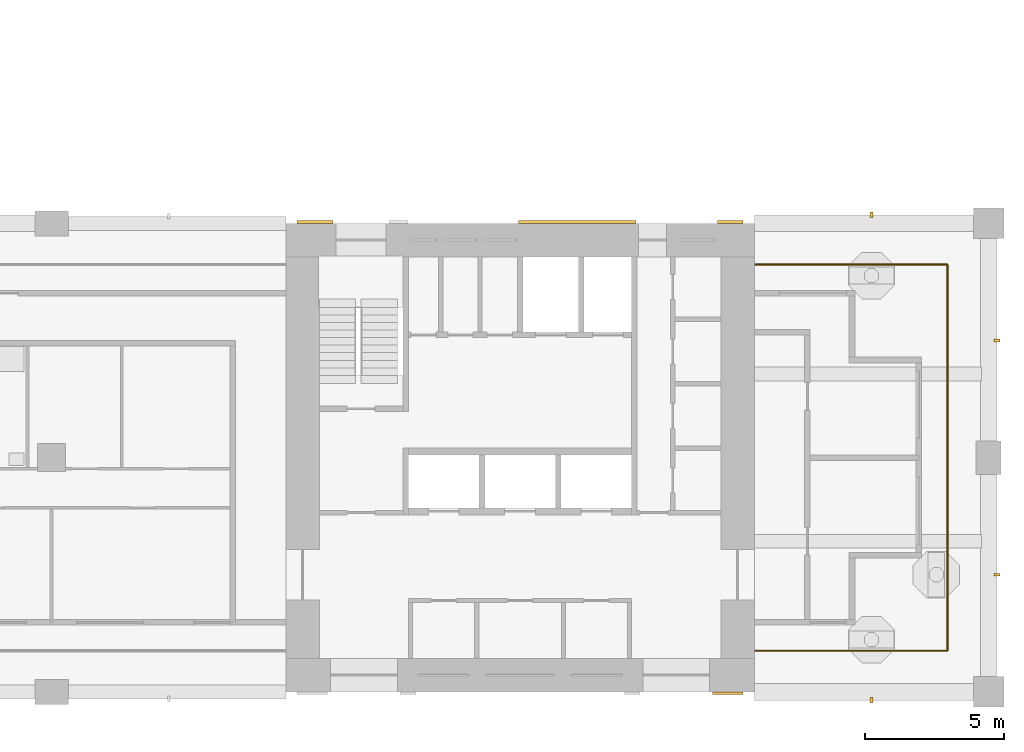
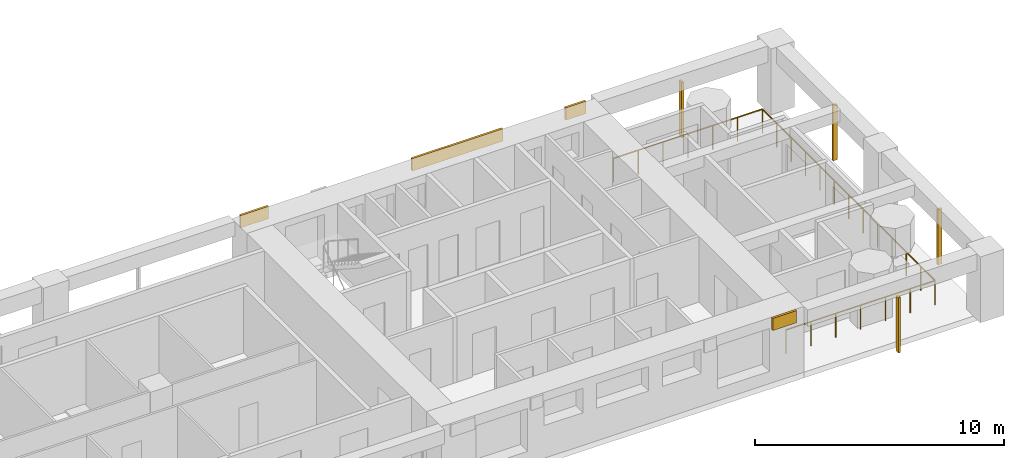
# One storey, part 9 of 13: 8 shading devices, 1 railing.
"""IFC4 building model written with IfcOpenShell, lengths in metres."""

from ifc_helpers import new_model, si_unit, direction, frame, origin, origin_2d, place, context, subcontext, project, spatial, rectangle, circle, extrude, material, layer, layer_set, material_profile, profile_set, type_object, element, save


model = new_model("IFC4")

# Units and contexts
model_context = context("Model", 3, precision=1e-05, world=origin(), true_north=direction((0.0, 1.0)))
body_context = subcontext(model_context, "Body", "Model", "MODEL_VIEW")
ifc_project = project(units=[si_unit("LENGTHUNIT", "METRE"), si_unit("AREAUNIT", "SQUARE_METRE"), si_unit("VOLUMEUNIT", "CUBIC_METRE"), si_unit("PLANEANGLEUNIT", "RADIAN"), si_unit("MASSUNIT", "GRAM", prefix="KILO")], contexts=[model_context])

# Site, building, storey
site_placement = place(None, origin())
site = spatial("IfcSite", under=ifc_project, at=site_placement, CompositionType="ELEMENT")
building_placement = place(site_placement, origin())
building = spatial("IfcBuilding", under=site, at=building_placement, Name="Vermilion Gate Residences", CompositionType="ELEMENT")
storey_placement = place(building_placement, frame((0.0, 0.0, 161.699951171875)))
storey = spatial("IfcBuildingStorey", under=building, at=storey_placement, Name="L41", CompositionType="ELEMENT", Elevation=161.699951171875)

# Railing
ifc_material_1 = material(Name="Stainless steel and toughened glass", Category="steel")
railing_type = type_object("IfcRailingType", Name="LOGGIA GUARD STEEL AND GLASS 1200", PredefinedType="GUARDRAIL", material=ifc_material_1)
railing_placement = place(storey_placement, frame((58.822021484375, 9.875, 0.0)))
element("IfcRailing", 1, at=railing_placement, inside=storey, type_object=railing_type, Name="Loggia guard", PredefinedType="GUARDRAIL", context=body_context, shape_type="SweptSolid", body=[
    extrude(circle(Radius=0.030029296875, at=origin_2d()), frame((0.0, 0.0, 1.169921875), z_axis=(1.0, 0.0, 0.0), x_axis=(0.0, 1.0, 0.0)), (0.0, 0.0, 1.0), 6.903076171875),
    extrude(circle(Radius=0.030029296875, at=origin_2d()), frame((6.903076171875, 0.0, 1.169921875), z_axis=(0.0, 1.0, 0.0), x_axis=(-1.0, 0.0, 0.0)), (0.0, 0.0, 1.0), 13.85009765625),
    extrude(circle(Radius=0.030029296875, at=origin_2d()), frame((6.903076171875, 13.85009765625, 1.169921875), z_axis=(-1.0, 0.0, 0.0), x_axis=(0.0, -1.0, 0.0)), (0.0, 0.0, 1.0), 6.903076171875),
    extrude(circle(Radius=0.02490234375, at=origin_2d()), origin(), (0.0, 0.0, 1.0), 1.139892578125),
    extrude(circle(Radius=0.02490234375, at=origin_2d()), frame((1.150390625, 0.0, 0.0)), (0.0, 0.0, 1.0), 1.139892578125),
    extrude(circle(Radius=0.02490234375, at=origin_2d()), frame((2.301025390625, 0.0, 0.0)), (0.0, 0.0, 1.0), 1.139892578125),
    extrude(circle(Radius=0.02490234375, at=origin_2d()), frame((3.45166015625, 0.0, 0.0)), (0.0, 0.0, 1.0), 1.139892578125),
    extrude(circle(Radius=0.02490234375, at=origin_2d()), frame((4.60205078125, 0.0, 0.0)), (0.0, 0.0, 1.0), 1.139892578125),
    extrude(circle(Radius=0.02490234375, at=origin_2d()), frame((5.75244140625, 0.0, 0.0)), (0.0, 0.0, 1.0), 1.139892578125),
    extrude(circle(Radius=0.02490234375, at=origin_2d()), frame((6.903076171875, 0.0, 0.0)), (0.0, 0.0, 1.0), 1.139892578125),
    extrude(circle(Radius=0.02490234375, at=origin_2d()), frame((6.903076171875, 1.154296875, 0.0)), (0.0, 0.0, 1.0), 1.139892578125),
    extrude(circle(Radius=0.02490234375, at=origin_2d()), frame((6.903076171875, 2.308349609375, 0.0)), (0.0, 0.0, 1.0), 1.139892578125),
    extrude(circle(Radius=0.02490234375, at=origin_2d()), frame((6.903076171875, 3.46240234375, 0.0)), (0.0, 0.0, 1.0), 1.139892578125),
    extrude(circle(Radius=0.02490234375, at=origin_2d()), frame((6.903076171875, 4.61669921875, 0.0)), (0.0, 0.0, 1.0), 1.139892578125),
    extrude(circle(Radius=0.02490234375, at=origin_2d()), frame((6.903076171875, 5.77099609375, 0.0)), (0.0, 0.0, 1.0), 1.139892578125),
    extrude(circle(Radius=0.02490234375, at=origin_2d()), frame((6.903076171875, 6.925048828125, 0.0)), (0.0, 0.0, 1.0), 1.139892578125),
    extrude(circle(Radius=0.02490234375, at=origin_2d()), frame((6.903076171875, 8.0791015625, 0.0)), (0.0, 0.0, 1.0), 1.139892578125),
    extrude(circle(Radius=0.02490234375, at=origin_2d()), frame((6.903076171875, 9.2333984375, 0.0)), (0.0, 0.0, 1.0), 1.139892578125),
    extrude(circle(Radius=0.02490234375, at=origin_2d()), frame((6.903076171875, 10.3876953125, 0.0)), (0.0, 0.0, 1.0), 1.139892578125),
    extrude(circle(Radius=0.02490234375, at=origin_2d()), frame((6.903076171875, 11.541748046875, 0.0)), (0.0, 0.0, 1.0), 1.139892578125),
    extrude(circle(Radius=0.02490234375, at=origin_2d()), frame((6.903076171875, 12.69580078125, 0.0)), (0.0, 0.0, 1.0), 1.139892578125),
    extrude(circle(Radius=0.02490234375, at=origin_2d()), frame((6.903076171875, 13.85009765625, 0.0)), (0.0, 0.0, 1.0), 1.139892578125),
    extrude(circle(Radius=0.02490234375, at=origin_2d()), frame((5.75244140625, 13.85009765625, 0.0)), (0.0, 0.0, 1.0), 1.139892578125),
    extrude(circle(Radius=0.02490234375, at=origin_2d()), frame((4.60205078125, 13.85009765625, 0.0)), (0.0, 0.0, 1.0), 1.139892578125),
    extrude(circle(Radius=0.02490234375, at=origin_2d()), frame((3.45166015625, 13.85009765625, 0.0)), (0.0, 0.0, 1.0), 1.139892578125),
    extrude(circle(Radius=0.02490234375, at=origin_2d()), frame((2.301025390625, 13.85009765625, 0.0)), (0.0, 0.0, 1.0), 1.139892578125),
    extrude(circle(Radius=0.02490234375, at=origin_2d()), frame((1.150390625, 13.85009765625, 0.0)), (0.0, 0.0, 1.0), 1.139892578125),
    extrude(circle(Radius=0.02490234375, at=origin_2d()), frame((0.0, 13.85009765625, 0.0)), (0.0, 0.0, 1.0), 1.139892578125),
])

# Shading devices
ifc_material_2 = material(Name="Extruded terracotta", Category="masonry")
ifc_material_profile = material_profile(ifc_material_2, rectangle(XDim=0.199951171875, YDim=0.10009765625, at=origin_2d()), Name="BAGUETTE 100 X 200")
ifc_profile_set = profile_set([ifc_material_profile], Name="Extruded terracotta")
shading_device_type_1 = type_object("IfcShadingDeviceType", Name="TERRACOTTA BAGUETTE 100 X 200", PredefinedType="JALOUSIE", material=ifc_profile_set)
for number, where, z_axis, x_axis, name in (
    (2, (63.0, 8.10009765625, -0.280029296875), (0.0, 0.0, 1.0), (0.0, 1.0, 0.0), "BAGUETTE"),
    (3, (67.5, 12.60009765625, -0.280029296875), (0.0, 0.0, 1.0), (-1.0, 0.0, 0.0), "BAGUETTE"),
    (4, (67.5, 21.0, -0.280029296875), (0.0, 0.0, 1.0), (-1.0, 0.0, 0.0), "BAGUETTE"),
    (5, (63.0, 25.5, -0.280029296875), (0.0, 0.0, 1.0), (0.0, -1.0, 0.0), "BAGUETTE"),
):
    element("IfcShadingDevice", number, at=place(storey_placement, frame(where, z_axis=z_axis, x_axis=x_axis)), inside=storey, type_object=shading_device_type_1, Name=name, PredefinedType="JALOUSIE", context=body_context, shape_type="SweptSolid", body=[
        extrude(rectangle(XDim=0.199951171875, YDim=0.10009765625, at=origin_2d()), origin(), (0.0, 0.0, 1.0), 2.7001953125),
    ])
ifc_material_3 = material(Name="Extruded terracotta", Category="masonry")
ifc_layer = layer(ifc_material_3, 0.10009765625)
ifc_layer_set = layer_set([ifc_layer], Name="TERRACOTTA SPANDREL BAND 600 X 100")
shading_device_type_2 = type_object("IfcShadingDeviceType", Name="TERRACOTTA SPANDREL BAND 600 X 100", PredefinedType="USERDEFINED", material=ifc_layer_set)
shading_device_1_placement = place(storey_placement, frame((57.85009765625, 8.35009765625, 2.6201171875), z_axis=(0.0, 0.0, 1.0), x_axis=(1.0, 0.0, 0.0)))
element("IfcShadingDevice", 6, at=shading_device_1_placement, inside=storey, type_object=shading_device_type_2, Name="SPANDREL BAND", ObjectType="BAND", PredefinedType="USERDEFINED", context=body_context, shape_type="SweptSolid", body=[
    extrude(rectangle(XDim=1.10009765625, YDim=0.10009765625, at=origin_2d()), origin(), (0.0, 0.0, 1.0), 0.60009765625),
])
shading_device_2_placement = place(storey_placement, frame((43.050048828125, 25.25, 2.6201171875), z_axis=(0.0, 0.0, 1.0), x_axis=(1.0, 0.0, 0.0)))
element("IfcShadingDevice", 7, at=shading_device_2_placement, inside=storey, type_object=shading_device_type_2, Name="SPANDREL BAND", ObjectType="BAND", PredefinedType="USERDEFINED", context=body_context, shape_type="SweptSolid", body=[
    extrude(rectangle(XDim=1.300048828125, YDim=0.10009765625, at=origin_2d()), origin(), (0.0, 0.0, 1.0), 0.60009765625),
])
shading_device_3_placement = place(storey_placement, frame((52.449951171875, 25.25, 2.6201171875), z_axis=(0.0, 0.0, 1.0), x_axis=(1.0, 0.0, 0.0)))
element("IfcShadingDevice", 8, at=shading_device_3_placement, inside=storey, type_object=shading_device_type_2, Name="SPANDREL BAND", ObjectType="BAND", PredefinedType="USERDEFINED", context=body_context, shape_type="SweptSolid", body=[
    extrude(rectangle(XDim=4.199951171875, YDim=0.10009765625, at=origin_2d()), origin(), (0.0, 0.0, 1.0), 0.60009765625),
])
shading_device_4_placement = place(storey_placement, frame((57.9375, 25.25, 2.6201171875), z_axis=(0.0, 0.0, 1.0), x_axis=(1.0, 0.0, 0.0)))
element("IfcShadingDevice", 9, at=shading_device_4_placement, inside=storey, type_object=shading_device_type_2, Name="SPANDREL BAND", ObjectType="BAND", PredefinedType="USERDEFINED", context=body_context, shape_type="SweptSolid", body=[
    extrude(rectangle(XDim=0.925048828125, YDim=0.10009765625, at=origin_2d()), origin(), (0.0, 0.0, 1.0), 0.60009765625),
])

save(model, "model.ifc")
